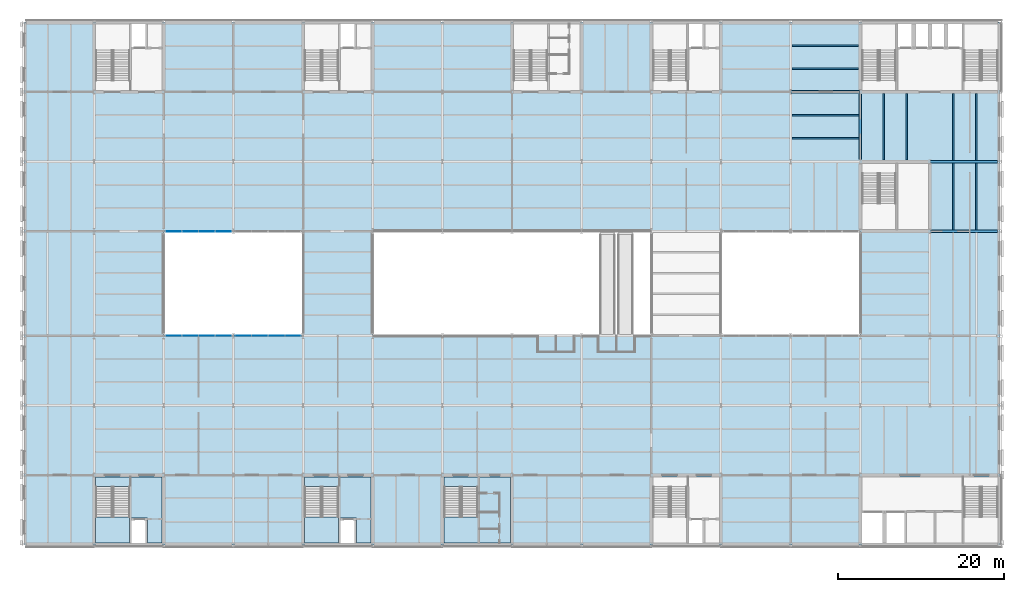
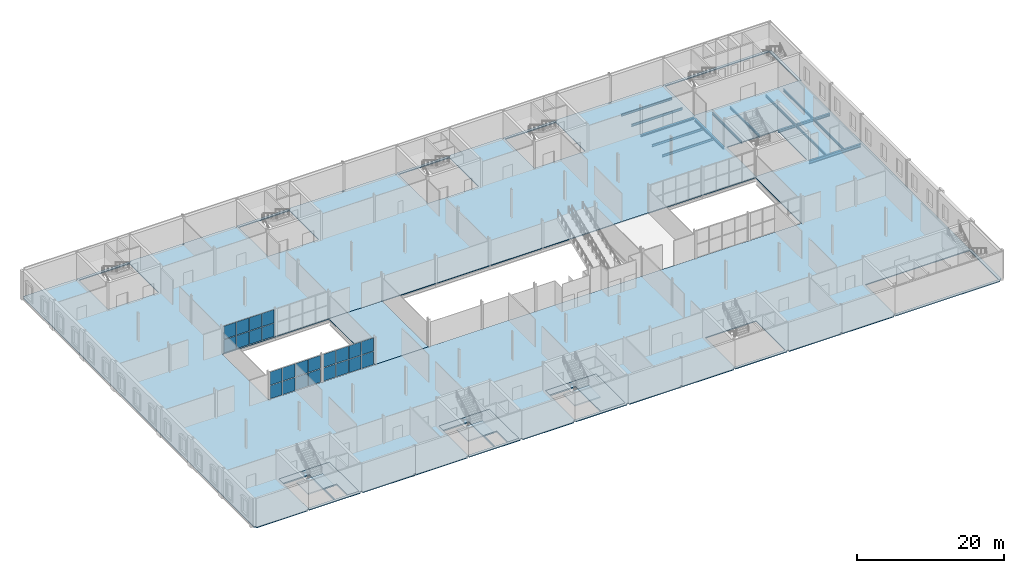
# One storey, part 25 of 57: 24 plates, 14 beams, 8 slabs, 6 elements without a shape of their own.
"""IFC4 building model written with IfcOpenShell, lengths in metres."""

from ifc_helpers import new_model, si_unit, direction, frame, origin, origin_2d, place, context, subcontext, project, spatial, polyline, rectangle, i_section, outline, extrude, material, layer, layer_set, material_profile, profile_set, type_object, element, aggregate, save


model = new_model("IFC4")

# Units and contexts
model_context = context("Model", 3, precision=1e-05, world=origin(), true_north=direction((0.0, 1.0)))
body_context = subcontext(model_context, "Body", "Model", "MODEL_VIEW")
ifc_project = project(units=[si_unit("LENGTHUNIT", "METRE"), si_unit("AREAUNIT", "SQUARE_METRE"), si_unit("VOLUMEUNIT", "CUBIC_METRE"), si_unit("PLANEANGLEUNIT", "RADIAN"), si_unit("MASSUNIT", "GRAM", prefix="KILO")], contexts=[model_context])

# Site, building, storey
site_placement = place(None, origin())
site = spatial("IfcSite", under=ifc_project, at=site_placement, CompositionType="ELEMENT")
building_placement = place(site_placement, origin())
building = spatial("IfcBuilding", under=site, at=building_placement, Name="Galleria Vessillo Department Store", CompositionType="ELEMENT")
storey_placement = place(building_placement, frame((0.0, 0.0, 21.0)))
storey = spatial("IfcBuildingStorey", under=building, at=storey_placement, Name="L04", CompositionType="ELEMENT", Elevation=21.0)

# Beams
ifc_material_1 = material(Name="Steel S355 J2", Category="steel")
ifc_material_profile_1 = material_profile(ifc_material_1, i_section(OverallWidth=0.300048828125, OverallDepth=0.43994140625, WebThickness=0.011474609375, FlangeThickness=0.02099609375, FilletRadius=0.027099609375, at=origin_2d()), Name="HEA 450")
ifc_profile_set_1 = profile_set([ifc_material_profile_1], Name="Steel S355 J2")
beam_type_1 = type_object("IfcBeamType", Name="Floor girder HEA 450", PredefinedType="BEAM", material=ifc_profile_set_1)
beam_1_placement = place(storey_placement, frame((109.210693359375, 46.199951171875, -0.369873046875), z_axis=(1.0, 0.0, 0.0), x_axis=(0.0, 1.0, 0.0)))
element("IfcBeam", 1, at=beam_1_placement, inside=storey, type_object=beam_type_1, Name="S-BM-L04-GI-x46200-109211", PredefinedType="BEAM", context=body_context, shape_type="SweptSolid", body=[
    extrude(i_section(OverallWidth=0.300048828125, OverallDepth=0.43994140625, WebThickness=0.011474609375, FlangeThickness=0.02099609375, FilletRadius=0.027099609375, at=origin_2d()), origin(), (0.0, 0.0, 1.0), 8.150146484375),
])
beam_2_placement = place(storey_placement, frame((100.800048828125, 46.439208984375, -0.369873046875), z_axis=(0.0, 1.0, 0.0), x_axis=(-1.0, 0.0, 0.0)))
element("IfcBeam", 2, at=beam_2_placement, inside=storey, type_object=beam_type_1, Name="S-BM-L04-GI-y100800-46439", PredefinedType="BEAM", context=body_context, shape_type="SweptSolid", body=[
    extrude(i_section(OverallWidth=0.300048828125, OverallDepth=0.43994140625, WebThickness=0.011474609375, FlangeThickness=0.02099609375, FilletRadius=0.027099609375, at=origin_2d()), origin(), (0.0, 0.0, 1.0), 7.921630859375),
])
ifc_material_2 = material(Name="Steel S355 J2", Category="steel")
ifc_material_profile_2 = material_profile(ifc_material_2, i_section(OverallWidth=0.300048828125, OverallDepth=0.5400390625, WebThickness=0.012451171875, FlangeThickness=0.02392578125, FilletRadius=0.027099609375, at=origin_2d()), Name="HEA 550")
ifc_profile_set_2 = profile_set([ifc_material_profile_2], Name="Steel S355 J2")
beam_type_2 = type_object("IfcBeamType", Name="Floor girder HEA 550", PredefinedType="BEAM", material=ifc_profile_set_2)
beam_3_placement = place(storey_placement, frame((109.210693359375, 37.800048828125, -0.419921875), z_axis=(1.0, 0.0, 0.0), x_axis=(0.0, 1.0, 0.0)))
element("IfcBeam", 3, at=beam_3_placement, inside=storey, type_object=beam_type_2, Name="S-BM-L04-GI-x37800-109211", PredefinedType="BEAM", context=body_context, shape_type="SweptSolid", body=[
    extrude(i_section(OverallWidth=0.300048828125, OverallDepth=0.5400390625, WebThickness=0.012451171875, FlangeThickness=0.02392578125, FilletRadius=0.027099609375, at=origin_2d()), origin(), (0.0, 0.0, 1.0), 8.150146484375),
])
ifc_material_3 = material(Name="Steel S355 J2", Category="steel")
ifc_material_profile_3 = material_profile(ifc_material_3, i_section(OverallWidth=0.179931640625, OverallDepth=0.39990234375, WebThickness=0.008544921875, FlangeThickness=0.013427734375, FilletRadius=0.02099609375, at=origin_2d()), Name="IPE 400")
ifc_profile_set_3 = profile_set([ifc_material_profile_3], Name="Steel S355 J2")
beam_type_3 = type_object("IfcBeamType", Name="Floor joist IPE 400", PredefinedType="JOIST", material=ifc_profile_set_3)
for number, where, z_axis, x_axis, name in (
    (4, (92.550048828125, 49.0, -0.349853515625), (1.0, 0.0, 0.0), (0.0, 1.0, 0.0), "S-BM-L04-JO-x49000-92550"),
    (5, (92.550048828125, 51.800048828125, -0.349853515625), (1.0, 0.0, 0.0), (0.0, 1.0, 0.0), "S-BM-L04-JO-x51800-92550"),
):
    element("IfcBeam", number, at=place(storey_placement, frame(where, z_axis=z_axis, x_axis=x_axis)), inside=storey, type_object=beam_type_3, Name=name, PredefinedType="JOIST", context=body_context, shape_type="SweptSolid", body=[
        extrude(i_section(OverallWidth=0.179931640625, OverallDepth=0.39990234375, WebThickness=0.008544921875, FlangeThickness=0.013427734375, FilletRadius=0.02099609375, at=origin_2d()), origin(), (0.0, 0.0, 1.0), 8.099853515625),
    ])
for number, where, z_axis, x_axis, name in (
    (6, (92.550048828125, 57.39990234375, -0.349853515625), (1.0, 0.0, 0.0), (0.0, 1.0, 0.0), "S-BM-L04-JO-x57400-92550"),
    (7, (92.550048828125, 60.199951171875, -0.349853515625), (1.0, 0.0, 0.0), (0.0, 1.0, 0.0), "S-BM-L04-JO-x60200-92550"),
):
    element("IfcBeam", number, at=place(storey_placement, frame(where, z_axis=z_axis, x_axis=x_axis)), inside=storey, type_object=beam_type_3, Name=name, PredefinedType="JOIST", context=body_context, shape_type="SweptSolid", body=[
        extrude(i_section(OverallWidth=0.179931640625, OverallDepth=0.39990234375, WebThickness=0.008544921875, FlangeThickness=0.013427734375, FilletRadius=0.02099609375, at=origin_2d()), origin(), (0.0, 0.0, 1.0), 8.0498046875),
    ])
for number, where, z_axis, x_axis, name in (
    (8, (103.60009765625, 46.400146484375, -0.349853515625), (0.0, 1.0, 0.0), (-1.0, 0.0, 0.0), "S-BM-L04-JO-y103600-46400"),
    (9, (106.39990234375, 46.400146484375, -0.349853515625), (0.0, 1.0, 0.0), (-1.0, 0.0, 0.0), "S-BM-L04-JO-y106400-46400"),
):
    element("IfcBeam", number, at=place(storey_placement, frame(where, z_axis=z_axis, x_axis=x_axis)), inside=storey, type_object=beam_type_3, Name=name, PredefinedType="JOIST", context=body_context, shape_type="SweptSolid", body=[
        extrude(i_section(OverallWidth=0.179931640625, OverallDepth=0.39990234375, WebThickness=0.008544921875, FlangeThickness=0.013427734375, FilletRadius=0.02099609375, at=origin_2d()), origin(), (0.0, 0.0, 1.0), 7.999755859375),
    ])
for number, where, z_axis, x_axis, name in (
    (10, (112.0, 37.9501953125, -0.349853515625), (0.0, 1.0, 0.0), (-1.0, 0.0, 0.0), "S-BM-L04-JO-y112000-37950"),
    (11, (114.800048828125, 37.9501953125, -0.349853515625), (0.0, 1.0, 0.0), (-1.0, 0.0, 0.0), "S-BM-L04-JO-y114800-37950"),
):
    element("IfcBeam", number, at=place(storey_placement, frame(where, z_axis=z_axis, x_axis=x_axis)), inside=storey, type_object=beam_type_3, Name=name, PredefinedType="JOIST", context=body_context, shape_type="SweptSolid", body=[
        extrude(i_section(OverallWidth=0.179931640625, OverallDepth=0.39990234375, WebThickness=0.008544921875, FlangeThickness=0.013427734375, FilletRadius=0.02099609375, at=origin_2d()), origin(), (0.0, 0.0, 1.0), 8.099609375),
    ])
for number, where, z_axis, x_axis, name in (
    (12, (112.0, 46.35009765625, -0.349853515625), (0.0, 1.0, 0.0), (-1.0, 0.0, 0.0), "S-BM-L04-JO-y112000-46350"),
    (13, (114.800048828125, 46.35009765625, -0.349853515625), (0.0, 1.0, 0.0), (-1.0, 0.0, 0.0), "S-BM-L04-JO-y114800-46350"),
):
    element("IfcBeam", number, at=place(storey_placement, frame(where, z_axis=z_axis, x_axis=x_axis)), inside=storey, type_object=beam_type_3, Name=name, PredefinedType="JOIST", context=body_context, shape_type="SweptSolid", body=[
        extrude(i_section(OverallWidth=0.179931640625, OverallDepth=0.39990234375, WebThickness=0.008544921875, FlangeThickness=0.013427734375, FilletRadius=0.02099609375, at=origin_2d()), origin(), (0.0, 0.0, 1.0), 8.0498046875),
    ])
ifc_material_4 = material(Name="Steel S355 J2", Category="steel")
ifc_material_profile_4 = material_profile(ifc_material_4, i_section(OverallWidth=0.300048828125, OverallDepth=0.330078125, WebThickness=0.009521484375, FlangeThickness=0.0166015625, FilletRadius=0.027099609375, at=origin_2d()), Name="HEA 340")
ifc_profile_set_4 = profile_set([ifc_material_profile_4], Name="Steel S355 J2")
beam_type_4 = type_object("IfcBeamType", Name="Floor tie girder HEA 340", PredefinedType="BEAM", material=ifc_profile_set_4)
beam_4_placement = place(storey_placement, frame((92.41064453125, 54.60009765625, -0.31494140625), z_axis=(1.0, 0.0, 0.0), x_axis=(0.0, 1.0, 0.0)))
element("IfcBeam", 14, at=beam_4_placement, inside=storey, type_object=beam_type_4, Name="S-BM-L04-TI-x54600-92411", PredefinedType="BEAM", context=body_context, shape_type="SweptSolid", body=[
    extrude(i_section(OverallWidth=0.300048828125, OverallDepth=0.330078125, WebThickness=0.009521484375, FlangeThickness=0.0166015625, FilletRadius=0.027099609375, at=origin_2d()), origin(), (0.0, 0.0, 1.0), 8.378662109375),
])

# Slabs
ifc_material_5 = material(Name="Concrete C32/40 composite on steel deck", Category="concrete")
ifc_layer_1 = layer(ifc_material_5, 0.14990234375)
ifc_layer_set_1 = layer_set([ifc_layer_1], Name="Concrete C32/40 composite on steel deck")
slab_type_1 = type_object("IfcSlabType", Name="Composite bridge slab 150 mm", PredefinedType="FLOOR", material=ifc_layer_set_1)
slab_1_placement = place(storey_placement, frame((0.0, 0.0, -0.14990234375)))
element("IfcSlab", 15, at=slab_1_placement, inside=storey, type_object=slab_type_1, Name="S-SLAB-L04-BRIDGE-W", PredefinedType="FLOOR", context=body_context, shape_type="SweptSolid", body=[
    extrude(outline(polyline([(42.0, 25.199951171875), (42.0, 37.800048828125), (33.60009765625, 37.800048828125), (33.60009765625, 25.199951171875), (42.0, 25.199951171875)])), origin(), (0.0, 0.0, 1.0), 0.14990234375),
])
ifc_material_6 = material(Name="Concrete C32/40 composite on steel deck", Category="concrete")
ifc_layer_2 = layer(ifc_material_6, 0.14990234375)
ifc_layer_set_2 = layer_set([ifc_layer_2], Name="Concrete C32/40 composite on steel deck")
slab_type_2 = type_object("IfcSlabType", Name="Composite floor slab 150 mm", PredefinedType="FLOOR", material=ifc_layer_set_2)
slab_2_placement = place(storey_placement, frame((0.0, 0.0, -0.14990234375)))
element("IfcSlab", 16, at=slab_2_placement, inside=storey, type_object=slab_type_2, Name="S-SLAB-L04-FLOOR", PredefinedType="FLOOR", context=body_context, shape_type="SweptSolid", body=[
    extrude(outline(polyline([(84.154052734375, 0.0), (83.849365234375, 0.0), (83.849365234375, -0.199462890625), (75.750732421875, -0.199462890625), (75.750732421875, 0.0), (75.449462890625, 0.0), (75.449462890625, -0.24951171875), (58.95068359375, -0.24951171875), (58.95068359375, 0.0), (58.6494140625, 0.0), (58.6494140625, -0.199462890625), (50.550537109375, -0.199462890625), (50.550537109375, 0.0), (50.249267578125, 0.0), (50.249267578125, -0.24951171875), (42.150634765625, -0.24951171875), (42.150634765625, 0.0), (41.849365234375, 0.0), (41.849365234375, -0.199462890625), (33.750732421875, -0.199462890625), (33.750732421875, 0.0), (33.449462890625, 0.0), (33.449462890625, -0.24951171875), (16.95068359375, -0.24951171875), (16.95068359375, 0.0), (16.6494140625, 0.0), (16.6494140625, -0.199462890625), (8.550537109375, -0.199462890625), (8.550537109375, 0.0), (8.249267578125, 0.0), (8.249267578125, -0.24951171875), (0.20068359375, -0.24951171875), (0.20068359375, 0.0), (0.0, 0.0), (0.0, 63.0), (0.20068359375, 63.0), (0.20068359375, 63.24951171875), (8.249267578125, 63.24951171875), (8.249267578125, 63.0), (8.550537109375, 63.0), (8.550537109375, 63.199462890625), (16.6494140625, 63.199462890625), (16.6494140625, 63.0), (16.95068359375, 63.0), (16.95068359375, 63.24951171875), (33.449462890625, 63.24951171875), (33.449462890625, 63.0), (33.750732421875, 63.0), (33.750732421875, 63.199462890625), (41.849365234375, 63.199462890625), (41.849365234375, 63.0), (42.150634765625, 63.0), (42.150634765625, 63.24951171875), (58.6494140625, 63.24951171875), (58.6494140625, 63.0), (58.95068359375, 63.0), (58.95068359375, 63.199462890625), (67.04931640625, 63.199462890625), (67.04931640625, 63.0), (67.3505859375, 63.0), (67.3505859375, 63.24951171875), (75.449462890625, 63.24951171875), (75.449462890625, 63.0), (75.750732421875, 63.0), (75.750732421875, 63.199462890625), (83.845947265625, 63.199462890625), (83.845947265625, 63.0), (84.154052734375, 63.0), (84.154052734375, 63.24951171875), (100.64599609375, 63.24951171875), (100.64599609375, 63.0), (100.9541015625, 63.0), (100.9541015625, 63.199462890625), (117.360595703125, 63.199462890625), (117.360595703125, 63.0), (117.60009765625, 63.0), (117.60009765625, 62.845947265625), (117.79931640625, 62.845947265625), (117.79931640625, 54.754150390625), (117.60009765625, 54.754150390625), (117.60009765625, 8.249267578125), (117.79931640625, 8.249267578125), (117.79931640625, 0.150634765625), (117.60009765625, 0.150634765625), (117.60009765625, 0.0), (117.3994140625, 0.0), (117.3994140625, -0.150634765625), (117.400146484375, -0.199462890625), (100.95068359375, -0.199462890625), (100.95068359375, 0.0), (100.64599609375, 0.0), (100.64599609375, -0.24951171875), (84.154052734375, -0.24951171875), (84.154052734375, 0.0)]), holes=[polyline([(101.0, 54.800048828125), (117.400146484375, 54.800048828125), (117.400146484375, 62.800048828125), (101.0, 62.800048828125), (101.0, 54.800048828125)]), polyline([(101.0, 0.199951171875), (117.400146484375, 0.199951171875), (117.400146484375, 8.199951171875), (101.0, 8.199951171875), (101.0, 0.199951171875)]), polyline([(109.0, 38.0), (109.0, 46.0), (101.0, 46.0), (101.0, 38.0), (109.0, 38.0)]), polyline([(100.800048828125, 25.199951171875), (100.800048828125, 37.800048828125), (16.800048828125, 37.800048828125), (16.800048828125, 25.199951171875), (100.800048828125, 25.199951171875)]), polyline([(92.553955078125, 63.239501953125), (92.245849609375, 63.239501953125), (92.245849609375, 63.0), (92.553955078125, 63.0), (92.553955078125, 63.239501953125)]), polyline([(92.249267578125, -0.20068359375), (92.550537109375, -0.20068359375), (92.550537109375, 0.0), (92.249267578125, 0.0), (92.249267578125, -0.20068359375)]), polyline([(75.800048828125, 54.800048828125), (83.800048828125, 54.800048828125), (83.800048828125, 62.800048828125), (75.800048828125, 62.800048828125), (75.800048828125, 54.800048828125)]), polyline([(75.800048828125, 0.199951171875), (83.800048828125, 0.199951171875), (83.800048828125, 8.199951171875), (75.800048828125, 8.199951171875), (75.800048828125, 0.199951171875)]), polyline([(67.3505859375, -0.20068359375), (67.3505859375, 0.0), (67.04931640625, 0.0), (67.04931640625, -0.20068359375), (67.3505859375, -0.20068359375)]), polyline([(67.0, 54.800048828125), (67.0, 62.800048828125), (59.0, 62.800048828125), (59.0, 54.800048828125), (67.0, 54.800048828125)]), polyline([(58.60009765625, 0.199951171875), (58.60009765625, 8.199951171875), (50.599853515625, 8.199951171875), (50.599853515625, 0.199951171875), (58.60009765625, 0.199951171875)]), polyline([(50.249267578125, 63.0), (50.550537109375, 63.0), (50.550537109375, 63.20068359375), (50.249267578125, 63.20068359375), (50.249267578125, 63.0)]), polyline([(41.800048828125, 0.199951171875), (41.800048828125, 8.199951171875), (33.800048828125, 8.199951171875), (33.800048828125, 0.199951171875), (41.800048828125, 0.199951171875)]), polyline([(33.800048828125, 54.800048828125), (41.800048828125, 54.800048828125), (41.800048828125, 62.800048828125), (33.800048828125, 62.800048828125), (33.800048828125, 54.800048828125)]), polyline([(25.3505859375, 63.0), (25.3505859375, 63.20068359375), (25.04931640625, 63.20068359375), (25.04931640625, 63.0), (25.3505859375, 63.0)]), polyline([(25.04931640625, 0.0), (25.04931640625, -0.20068359375), (25.3505859375, -0.20068359375), (25.3505859375, 0.0), (25.04931640625, 0.0)]), polyline([(8.599853515625, 54.800048828125), (16.60009765625, 54.800048828125), (16.60009765625, 62.800048828125), (8.599853515625, 62.800048828125), (8.599853515625, 54.800048828125)]), polyline([(16.60009765625, 0.199951171875), (16.60009765625, 8.199951171875), (8.599853515625, 8.199951171875), (8.599853515625, 0.199951171875), (16.60009765625, 0.199951171875)])]), origin(), (0.0, 0.0, 1.0), 0.14990234375),
])

# Curtain wall, plates
ifc_material_7 = material(Name="Steel and fire-resisting glass curtain wall", Category="steel")
ifc_layer_3 = layer(ifc_material_7, 0.199951171875)
ifc_layer_set_3 = layer_set([ifc_layer_3], Name="Steel and fire-resisting glass curtain wall")
curtain_wall_type = type_object("IfcCurtainWallType", Name="Arcade fire-resisting glazed shopfront EI 120-Sa", PredefinedType="NOTDEFINED", material=ifc_layer_set_3)
curtain_wall_1_placement = place(storey_placement, origin())
curtain_wall_1 = element("IfcCurtainWall", 17, at=curtain_wall_1_placement, inside=storey, type_object=curtain_wall_type, Name="Arcade fire-resisting glazed shopfront EI 120-Sa AI-AW-S-L04-01", PredefinedType="NOTDEFINED")
ifc_material_8 = material(Name="Fire-resisting laminated glass EI 120", Category="glass")
ifc_layer_4 = layer(ifc_material_8, 0.052001953125)
ifc_layer_set_4 = layer_set([ifc_layer_4], Name="Fire-resisting laminated glass EI 120")
plate_type = type_object("IfcPlateType", Name="Fire-resisting glass panel 52 mm EI 120", PredefinedType="CURTAIN_PANEL", material=ifc_layer_set_4)
plate_1_placement = place(storey_placement, frame((17.989501953125, 25.199951171875, 0.10009765625), z_axis=(0.0, 0.0, 1.0), x_axis=(1.0, 0.0, 0.0)))
plate_1 = element("IfcPlate", 18, at=plate_1_placement, type_object=plate_type, Name="CW7 panel 1.1", PredefinedType="CURTAIN_PANEL", context=body_context, shape_type="SweptSolid", body=[
    extrude(rectangle(XDim=1.87353515625, YDim=0.052001953125, at=origin_2d()), origin(), (0.0, 0.0, 1.0), 2.175048828125),
])
plate_2_placement = place(storey_placement, frame((17.989501953125, 25.199951171875, 2.375), z_axis=(0.0, 0.0, 1.0), x_axis=(1.0, 0.0, 0.0)))
plate_2 = element("IfcPlate", 19, at=plate_2_placement, type_object=plate_type, Name="CW7 panel 1.2", PredefinedType="CURTAIN_PANEL", context=body_context, shape_type="SweptSolid", body=[
    extrude(rectangle(XDim=1.87353515625, YDim=0.052001953125, at=origin_2d()), origin(), (0.0, 0.0, 1.0), 2.175048828125),
])
plate_3_placement = place(storey_placement, frame((19.988037109375, 25.199951171875, 0.10009765625), z_axis=(0.0, 0.0, 1.0), x_axis=(1.0, 0.0, 0.0)))
plate_3 = element("IfcPlate", 20, at=plate_3_placement, type_object=plate_type, Name="CW7 panel 2.1", PredefinedType="CURTAIN_PANEL", context=body_context, shape_type="SweptSolid", body=[
    extrude(rectangle(XDim=1.923583984375, YDim=0.052001953125, at=origin_2d()), origin(), (0.0, 0.0, 1.0), 2.175048828125),
])
plate_4_placement = place(storey_placement, frame((19.988037109375, 25.199951171875, 2.375), z_axis=(0.0, 0.0, 1.0), x_axis=(1.0, 0.0, 0.0)))
plate_4 = element("IfcPlate", 21, at=plate_4_placement, type_object=plate_type, Name="CW7 panel 2.2", PredefinedType="CURTAIN_PANEL", context=body_context, shape_type="SweptSolid", body=[
    extrude(rectangle(XDim=1.923583984375, YDim=0.052001953125, at=origin_2d()), origin(), (0.0, 0.0, 1.0), 2.175048828125),
])
plate_5_placement = place(storey_placement, frame((22.011474609375, 25.199951171875, 0.10009765625), z_axis=(0.0, 0.0, 1.0), x_axis=(1.0, 0.0, 0.0)))
plate_5 = element("IfcPlate", 22, at=plate_5_placement, type_object=plate_type, Name="CW7 panel 3.1", PredefinedType="CURTAIN_PANEL", context=body_context, shape_type="SweptSolid", body=[
    extrude(rectangle(XDim=1.923583984375, YDim=0.052001953125, at=origin_2d()), origin(), (0.0, 0.0, 1.0), 2.175048828125),
])
plate_6_placement = place(storey_placement, frame((22.011474609375, 25.199951171875, 2.375), z_axis=(0.0, 0.0, 1.0), x_axis=(1.0, 0.0, 0.0)))
plate_6 = element("IfcPlate", 23, at=plate_6_placement, type_object=plate_type, Name="CW7 panel 3.2", PredefinedType="CURTAIN_PANEL", context=body_context, shape_type="SweptSolid", body=[
    extrude(rectangle(XDim=1.923583984375, YDim=0.052001953125, at=origin_2d()), origin(), (0.0, 0.0, 1.0), 2.175048828125),
])
plate_7_placement = place(storey_placement, frame((24.010009765625, 25.199951171875, 0.10009765625), z_axis=(0.0, 0.0, 1.0), x_axis=(1.0, 0.0, 0.0)))
plate_7 = element("IfcPlate", 24, at=plate_7_placement, type_object=plate_type, Name="CW7 panel 4.1", PredefinedType="CURTAIN_PANEL", context=body_context, shape_type="SweptSolid", body=[
    extrude(rectangle(XDim=1.87353515625, YDim=0.052001953125, at=origin_2d()), origin(), (0.0, 0.0, 1.0), 2.175048828125),
])
plate_8_placement = place(storey_placement, frame((24.010009765625, 25.199951171875, 2.375), z_axis=(0.0, 0.0, 1.0), x_axis=(1.0, 0.0, 0.0)))
plate_8 = element("IfcPlate", 25, at=plate_8_placement, type_object=plate_type, Name="CW7 panel 4.2", PredefinedType="CURTAIN_PANEL", context=body_context, shape_type="SweptSolid", body=[
    extrude(rectangle(XDim=1.87353515625, YDim=0.052001953125, at=origin_2d()), origin(), (0.0, 0.0, 1.0), 2.175048828125),
])
aggregate(curtain_wall_1, [plate_1, plate_2, plate_3, plate_4, plate_5, plate_6, plate_7, plate_8])

curtain_wall_2_placement = place(storey_placement, origin())
curtain_wall_2 = element("IfcCurtainWall", 26, at=curtain_wall_2_placement, inside=storey, type_object=curtain_wall_type, Name="Arcade fire-resisting glazed shopfront EI 120-Sa AI-AW-S-L04-02", PredefinedType="NOTDEFINED")
plate_9_placement = place(storey_placement, frame((26.389892578125, 25.199951171875, 0.10009765625), z_axis=(0.0, 0.0, 1.0), x_axis=(1.0, 0.0, 0.0)))
plate_9 = element("IfcPlate", 27, at=plate_9_placement, type_object=plate_type, Name="CW7 panel 1.1", PredefinedType="CURTAIN_PANEL", context=body_context, shape_type="SweptSolid", body=[
    extrude(rectangle(XDim=1.87353515625, YDim=0.052001953125, at=origin_2d()), origin(), (0.0, 0.0, 1.0), 2.175048828125),
])
plate_10_placement = place(storey_placement, frame((26.389892578125, 25.199951171875, 2.375), z_axis=(0.0, 0.0, 1.0), x_axis=(1.0, 0.0, 0.0)))
plate_10 = element("IfcPlate", 28, at=plate_10_placement, type_object=plate_type, Name="CW7 panel 1.2", PredefinedType="CURTAIN_PANEL", context=body_context, shape_type="SweptSolid", body=[
    extrude(rectangle(XDim=1.87353515625, YDim=0.052001953125, at=origin_2d()), origin(), (0.0, 0.0, 1.0), 2.175048828125),
])
plate_11_placement = place(storey_placement, frame((28.388427734375, 25.199951171875, 0.10009765625), z_axis=(0.0, 0.0, 1.0), x_axis=(1.0, 0.0, 0.0)))
plate_11 = element("IfcPlate", 29, at=plate_11_placement, type_object=plate_type, Name="CW7 panel 2.1", PredefinedType="CURTAIN_PANEL", context=body_context, shape_type="SweptSolid", body=[
    extrude(rectangle(XDim=1.923583984375, YDim=0.052001953125, at=origin_2d()), origin(), (0.0, 0.0, 1.0), 2.175048828125),
])
plate_12_placement = place(storey_placement, frame((28.388427734375, 25.199951171875, 2.375), z_axis=(0.0, 0.0, 1.0), x_axis=(1.0, 0.0, 0.0)))
plate_12 = element("IfcPlate", 30, at=plate_12_placement, type_object=plate_type, Name="CW7 panel 2.2", PredefinedType="CURTAIN_PANEL", context=body_context, shape_type="SweptSolid", body=[
    extrude(rectangle(XDim=1.923583984375, YDim=0.052001953125, at=origin_2d()), origin(), (0.0, 0.0, 1.0), 2.175048828125),
])
plate_13_placement = place(storey_placement, frame((30.412109375, 25.199951171875, 0.10009765625), z_axis=(0.0, 0.0, 1.0), x_axis=(1.0, 0.0, 0.0)))
plate_13 = element("IfcPlate", 31, at=plate_13_placement, type_object=plate_type, Name="CW7 panel 3.1", PredefinedType="CURTAIN_PANEL", context=body_context, shape_type="SweptSolid", body=[
    extrude(rectangle(XDim=1.923583984375, YDim=0.052001953125, at=origin_2d()), origin(), (0.0, 0.0, 1.0), 2.175048828125),
])
plate_14_placement = place(storey_placement, frame((30.412109375, 25.199951171875, 2.375), z_axis=(0.0, 0.0, 1.0), x_axis=(1.0, 0.0, 0.0)))
plate_14 = element("IfcPlate", 32, at=plate_14_placement, type_object=plate_type, Name="CW7 panel 3.2", PredefinedType="CURTAIN_PANEL", context=body_context, shape_type="SweptSolid", body=[
    extrude(rectangle(XDim=1.923583984375, YDim=0.052001953125, at=origin_2d()), origin(), (0.0, 0.0, 1.0), 2.175048828125),
])
plate_15_placement = place(storey_placement, frame((32.41064453125, 25.199951171875, 0.10009765625), z_axis=(0.0, 0.0, 1.0), x_axis=(1.0, 0.0, 0.0)))
plate_15 = element("IfcPlate", 33, at=plate_15_placement, type_object=plate_type, Name="CW7 panel 4.1", PredefinedType="CURTAIN_PANEL", context=body_context, shape_type="SweptSolid", body=[
    extrude(rectangle(XDim=1.87353515625, YDim=0.052001953125, at=origin_2d()), origin(), (0.0, 0.0, 1.0), 2.175048828125),
])
plate_16_placement = place(storey_placement, frame((32.41064453125, 25.199951171875, 2.375), z_axis=(0.0, 0.0, 1.0), x_axis=(1.0, 0.0, 0.0)))
plate_16 = element("IfcPlate", 34, at=plate_16_placement, type_object=plate_type, Name="CW7 panel 4.2", PredefinedType="CURTAIN_PANEL", context=body_context, shape_type="SweptSolid", body=[
    extrude(rectangle(XDim=1.87353515625, YDim=0.052001953125, at=origin_2d()), origin(), (0.0, 0.0, 1.0), 2.175048828125),
])
aggregate(curtain_wall_2, [plate_9, plate_10, plate_11, plate_12, plate_13, plate_14, plate_15, plate_16])

curtain_wall_3_placement = place(storey_placement, origin())
curtain_wall_3 = element("IfcCurtainWall", 35, at=curtain_wall_3_placement, inside=storey, type_object=curtain_wall_type, Name="Arcade fire-resisting glazed shopfront EI 120-Sa AI-AW-N-L04-01", PredefinedType="NOTDEFINED")
plate_17_placement = place(storey_placement, frame((17.989501953125, 37.800048828125, 0.10009765625), z_axis=(0.0, 0.0, 1.0), x_axis=(1.0, 0.0, 0.0)))
plate_17 = element("IfcPlate", 36, at=plate_17_placement, type_object=plate_type, Name="CW7 panel 1.1", PredefinedType="CURTAIN_PANEL", context=body_context, shape_type="SweptSolid", body=[
    extrude(rectangle(XDim=1.87353515625, YDim=0.052001953125, at=origin_2d()), origin(), (0.0, 0.0, 1.0), 2.175048828125),
])
plate_18_placement = place(storey_placement, frame((17.989501953125, 37.800048828125, 2.375), z_axis=(0.0, 0.0, 1.0), x_axis=(1.0, 0.0, 0.0)))
plate_18 = element("IfcPlate", 37, at=plate_18_placement, type_object=plate_type, Name="CW7 panel 1.2", PredefinedType="CURTAIN_PANEL", context=body_context, shape_type="SweptSolid", body=[
    extrude(rectangle(XDim=1.87353515625, YDim=0.052001953125, at=origin_2d()), origin(), (0.0, 0.0, 1.0), 2.175048828125),
])
plate_19_placement = place(storey_placement, frame((19.988037109375, 37.800048828125, 0.10009765625), z_axis=(0.0, 0.0, 1.0), x_axis=(1.0, 0.0, 0.0)))
plate_19 = element("IfcPlate", 38, at=plate_19_placement, type_object=plate_type, Name="CW7 panel 2.1", PredefinedType="CURTAIN_PANEL", context=body_context, shape_type="SweptSolid", body=[
    extrude(rectangle(XDim=1.923583984375, YDim=0.052001953125, at=origin_2d()), origin(), (0.0, 0.0, 1.0), 2.175048828125),
])
plate_20_placement = place(storey_placement, frame((19.988037109375, 37.800048828125, 2.375), z_axis=(0.0, 0.0, 1.0), x_axis=(1.0, 0.0, 0.0)))
plate_20 = element("IfcPlate", 39, at=plate_20_placement, type_object=plate_type, Name="CW7 panel 2.2", PredefinedType="CURTAIN_PANEL", context=body_context, shape_type="SweptSolid", body=[
    extrude(rectangle(XDim=1.923583984375, YDim=0.052001953125, at=origin_2d()), origin(), (0.0, 0.0, 1.0), 2.175048828125),
])
plate_21_placement = place(storey_placement, frame((22.011474609375, 37.800048828125, 0.10009765625), z_axis=(0.0, 0.0, 1.0), x_axis=(1.0, 0.0, 0.0)))
plate_21 = element("IfcPlate", 40, at=plate_21_placement, type_object=plate_type, Name="CW7 panel 3.1", PredefinedType="CURTAIN_PANEL", context=body_context, shape_type="SweptSolid", body=[
    extrude(rectangle(XDim=1.923583984375, YDim=0.052001953125, at=origin_2d()), origin(), (0.0, 0.0, 1.0), 2.175048828125),
])
plate_22_placement = place(storey_placement, frame((22.011474609375, 37.800048828125, 2.375), z_axis=(0.0, 0.0, 1.0), x_axis=(1.0, 0.0, 0.0)))
plate_22 = element("IfcPlate", 41, at=plate_22_placement, type_object=plate_type, Name="CW7 panel 3.2", PredefinedType="CURTAIN_PANEL", context=body_context, shape_type="SweptSolid", body=[
    extrude(rectangle(XDim=1.923583984375, YDim=0.052001953125, at=origin_2d()), origin(), (0.0, 0.0, 1.0), 2.175048828125),
])
plate_23_placement = place(storey_placement, frame((24.010009765625, 37.800048828125, 0.10009765625), z_axis=(0.0, 0.0, 1.0), x_axis=(1.0, 0.0, 0.0)))
plate_23 = element("IfcPlate", 42, at=plate_23_placement, type_object=plate_type, Name="CW7 panel 4.1", PredefinedType="CURTAIN_PANEL", context=body_context, shape_type="SweptSolid", body=[
    extrude(rectangle(XDim=1.87353515625, YDim=0.052001953125, at=origin_2d()), origin(), (0.0, 0.0, 1.0), 2.175048828125),
])
plate_24_placement = place(storey_placement, frame((24.010009765625, 37.800048828125, 2.375), z_axis=(0.0, 0.0, 1.0), x_axis=(1.0, 0.0, 0.0)))
plate_24 = element("IfcPlate", 43, at=plate_24_placement, type_object=plate_type, Name="CW7 panel 4.2", PredefinedType="CURTAIN_PANEL", context=body_context, shape_type="SweptSolid", body=[
    extrude(rectangle(XDim=1.87353515625, YDim=0.052001953125, at=origin_2d()), origin(), (0.0, 0.0, 1.0), 2.175048828125),
])
aggregate(curtain_wall_3, [plate_17, plate_18, plate_19, plate_20, plate_21, plate_22, plate_23, plate_24])

# Slabs
ifc_material_9 = material(Name="Concrete C32/40 reinforced", Category="concrete")
ifc_layer_5 = layer(ifc_material_9, 0.219970703125)
ifc_layer_set_5 = layer_set([ifc_layer_5], Name="Concrete C32/40 reinforced")
slab_type_3 = type_object("IfcSlabType", Name="Reinforced concrete core floor slab 220 mm", PredefinedType="FLOOR", material=ifc_layer_set_5)
slab_3_placement = place(storey_placement, frame((0.0, 0.0, -0.219970703125)))
element("IfcSlab", 44, at=slab_3_placement, inside=storey, type_object=slab_type_3, Name="S-SLAB-L04-CORE-PC-SW", PredefinedType="FLOOR", context=body_context, shape_type="SweptSolid", body=[
    extrude(outline(polyline([(8.599853515625, 8.199951171875), (16.60009765625, 8.199951171875), (16.60009765625, 0.199951171875), (14.85009765625, 0.199951171875), (14.85009765625, 3.199951171875), (12.89990234375, 3.199951171875), (12.89990234375, 0.199951171875), (12.699951171875, 0.199951171875), (12.699951171875, 7.0), (8.60009765625, 7.0), (8.60009765625, 0.199951171875), (8.599853515625, 8.199951171875)])), origin(), (0.0, 0.0, 1.0), 0.219970703125),
])
slab_4_placement = place(storey_placement, frame((0.0, 0.0, -0.219970703125)))
element("IfcSlab", 45, at=slab_4_placement, inside=storey, type_object=slab_type_3, Name="S-SLAB-L04-CORE-PC-SM", PredefinedType="FLOOR", context=body_context, shape_type="SweptSolid", body=[
    extrude(outline(polyline([(33.800048828125, 8.199951171875), (41.800048828125, 8.199951171875), (41.800048828125, 0.199951171875), (40.050048828125, 0.199951171875), (40.050048828125, 3.199951171875), (38.10009765625, 3.199951171875), (38.10009765625, 0.199951171875), (37.89990234375, 0.199951171875), (37.89990234375, 7.0), (33.800048828125, 7.0), (33.800048828125, 8.199951171875)])), origin(), (0.0, 0.0, 1.0), 0.219970703125),
])
slab_5_placement = place(storey_placement, frame((0.0, 0.0, -0.219970703125)))
element("IfcSlab", 46, at=slab_5_placement, inside=storey, type_object=slab_type_3, Name="S-SLAB-L04-CORE-PC-SC", PredefinedType="FLOOR", context=body_context, shape_type="SweptSolid", body=[
    extrude(outline(polyline([(50.599853515625, 8.199951171875), (58.60009765625, 8.199951171875), (58.60009765625, 0.199951171875), (54.699951171875, 0.199951171875), (54.699951171875, 7.0), (50.60009765625, 7.0), (50.60009765625, 0.199951171875), (50.599853515625, 8.199951171875)])), origin(), (0.0, 0.0, 1.0), 0.219970703125),
])

# Stair, slab
ifc_material_10 = material(Name="Concrete C32/40", Category="concrete")
stair_type = type_object("IfcStairType", Name="Half-turn escape stair 2000 mm, 28 risers of 171 mm", PredefinedType="HALF_TURN_STAIR", material=ifc_material_10)
stair_1_placement = place(storey_placement, origin())
stair_1 = element("IfcStair", 47, at=stair_1_placement, inside=storey, type_object=stair_type, Name="Stair ST1 L04", PredefinedType="HALF_TURN_STAIR")
ifc_material_11 = material(Name="Concrete C32/40", Category="concrete")
ifc_layer_6 = layer(ifc_material_11, 0.199951171875)
ifc_layer_set_6 = layer_set([ifc_layer_6], Name="Concrete C32/40")
slab_type_4 = type_object("IfcSlabType", Name="Stair half landing 4100 x 3160 mm", PredefinedType="LANDING", material=ifc_layer_set_6)
slab_6_placement = place(storey_placement, frame((0.0, 0.0, 2.199951171875)))
slab_6 = element("IfcSlab", 48, at=slab_6_placement, type_object=slab_type_4, Name="ST1 landing 1", PredefinedType="LANDING", context=body_context, shape_type="SweptSolid", body=[
    extrude(outline(polyline([(8.599853515625, 0.199951171875), (8.599853515625, 3.360107421875), (12.699951171875, 3.360107421875), (12.699951171875, 0.199951171875), (8.599853515625, 0.199951171875)])), origin(), (0.0, 0.0, 1.0), 0.199951171875),
])
aggregate(stair_1, [slab_6])

stair_2_placement = place(storey_placement, origin())
stair_2 = element("IfcStair", 49, at=stair_2_placement, inside=storey, type_object=stair_type, Name="Stair ST3 L04", PredefinedType="HALF_TURN_STAIR")
slab_7_placement = place(storey_placement, frame((0.0, 0.0, 2.199951171875)))
slab_7 = element("IfcSlab", 50, at=slab_7_placement, type_object=slab_type_4, Name="ST3 landing 1", PredefinedType="LANDING", context=body_context, shape_type="SweptSolid", body=[
    extrude(outline(polyline([(33.800048828125, 0.199951171875), (33.800048828125, 3.360107421875), (37.900146484375, 3.360107421875), (37.900146484375, 0.199951171875), (33.800048828125, 0.199951171875)])), origin(), (0.0, 0.0, 1.0), 0.199951171875),
])
aggregate(stair_2, [slab_7])

stair_3_placement = place(storey_placement, origin())
stair_3 = element("IfcStair", 51, at=stair_3_placement, inside=storey, type_object=stair_type, Name="Stair ST10 L04", PredefinedType="HALF_TURN_STAIR")
slab_8_placement = place(storey_placement, frame((0.0, 0.0, 2.199951171875)))
slab_8 = element("IfcSlab", 52, at=slab_8_placement, type_object=slab_type_4, Name="ST10 landing 1", PredefinedType="LANDING", context=body_context, shape_type="SweptSolid", body=[
    extrude(outline(polyline([(50.599853515625, 0.199951171875), (50.599853515625, 3.360107421875), (54.699951171875, 3.360107421875), (54.699951171875, 0.199951171875), (50.599853515625, 0.199951171875)])), origin(), (0.0, 0.0, 1.0), 0.199951171875),
])
aggregate(stair_3, [slab_8])

save(model, "model.ifc")
